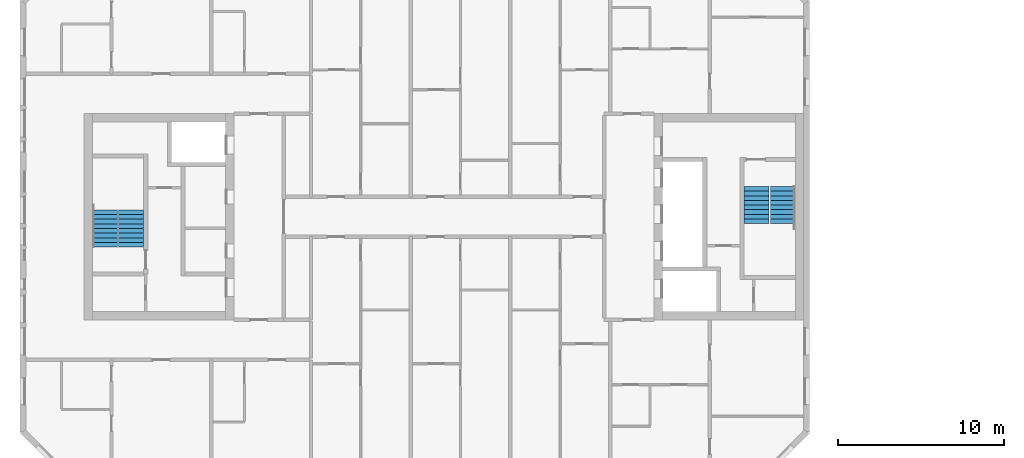
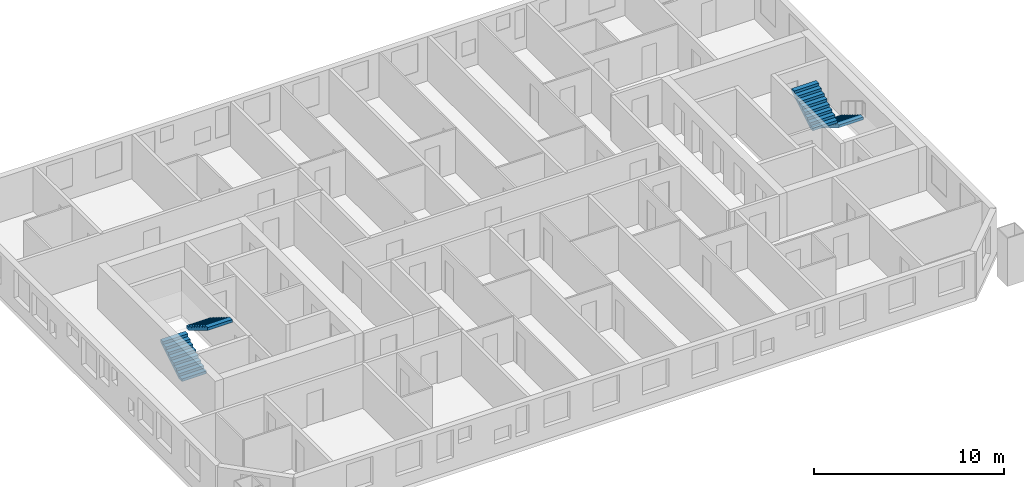
# One storey, part 15 of 16: 4 stair flights, 2 elements without a shape of their own.
"""IFC4 building model written with IfcOpenShell, lengths in metres."""

from ifc_helpers import new_model, si_unit, direction, frame, origin, place, context, subcontext, project, spatial, faceted_brep, material, type_object, element, aggregate, save


model = new_model("IFC4")

# Units and contexts
model_context = context("Model", 3, precision=1e-05, world=origin(), true_north=direction((0.0, 1.0)))
body_context = subcontext(model_context, "Body", "Model", "MODEL_VIEW")
ifc_project = project(units=[si_unit("LENGTHUNIT", "METRE"), si_unit("AREAUNIT", "SQUARE_METRE"), si_unit("VOLUMEUNIT", "CUBIC_METRE"), si_unit("PLANEANGLEUNIT", "RADIAN"), si_unit("MASSUNIT", "GRAM", prefix="KILO")], contexts=[model_context])

# Site, building, storey
site_placement = place(None, origin())
site = spatial("IfcSite", under=ifc_project, at=site_placement, CompositionType="ELEMENT")
building_placement = place(site_placement, origin())
building = spatial("IfcBuilding", under=site, at=building_placement, Name="Tuart Gate Housing", CompositionType="ELEMENT")
storey_placement = place(building_placement, frame((0.0, 0.0, 157.800048828125)))
storey = spatial("IfcBuildingStorey", under=building, at=storey_placement, Name="L44", CompositionType="ELEMENT", Elevation=157.800048828125)

# Stair, stair flights
ifc_material_1 = material(Name="Concrete C40", Category="concrete")
stair_type = type_object("IfcStairType", Name="Core stair 1500", PredefinedType="HALF_TURN_STAIR", material=ifc_material_1)
stair_1_placement = place(storey_placement, origin())
stair_1 = element("IfcStair", 1, at=stair_1_placement, inside=storey, type_object=stair_type, Name="Stair SA1", PredefinedType="HALF_TURN_STAIR")
ifc_material_2 = material(Name="Concrete C40", Category="concrete")
stair_flight_type = type_object("IfcStairFlightType", Name="Stair flight 1500, 9 risers 172 x 280", PredefinedType="STRAIGHT", material=ifc_material_2)
stair_flight_1_placement = place(storey_placement, frame((74.389892578125, 71.824951171875, 0.0), z_axis=(0.0, 0.0, 1.0), x_axis=(0.0, -1.0, 0.0)))
stair_flight_1 = element("IfcStairFlight", 2, at=stair_flight_1_placement, type_object=stair_flight_type, Name="SA1 flight 1", NumberOfRisers=9, NumberOfTreads=8, PredefinedType="STRAIGHT", RiserHeight=0.172222222, TreadLength=0.28, context=body_context, shape_type="Brep", body=[
    faceted_brep([(0.0, 0.75, 0.0), (0.0, 0.75, 0.172119140625), (0.280029296875, 0.75, 0.172119140625), (0.280029296875, 0.75, 0.344482421875), (0.56005859375, 0.75, 0.344482421875), (0.56005859375, 0.75, 0.5166015625), (0.840087890625, 0.75, 0.5166015625), (0.840087890625, 0.75, 0.68896484375), (1.1201171875, 0.75, 0.68896484375), (1.1201171875, 0.75, 0.861083984375), (1.39990234375, 0.75, 0.861083984375), (1.39990234375, 0.75, 1.033447265625), (1.679931640625, 0.75, 1.033447265625), (1.679931640625, 0.75, 1.20556640625), (1.9599609375, 0.75, 1.20556640625), (1.9599609375, 0.75, 1.377685546875), (2.239990234375, 0.75, 1.377685546875), (2.239990234375, 0.75, 1.201904296875), (0.2861328125, 0.75, 0.0), (0.2861328125, -0.75, 0.0), (2.239990234375, -0.75, 1.201904296875), (2.239990234375, -0.75, 1.377685546875), (1.9599609375, -0.75, 1.377685546875), (1.9599609375, -0.75, 1.20556640625), (1.679931640625, -0.75, 1.20556640625), (1.679931640625, -0.75, 1.033447265625), (1.39990234375, -0.75, 1.033447265625), (1.39990234375, -0.75, 0.861083984375), (1.1201171875, -0.75, 0.861083984375), (1.1201171875, -0.75, 0.68896484375), (0.840087890625, -0.75, 0.68896484375), (0.840087890625, -0.75, 0.5166015625), (0.56005859375, -0.75, 0.5166015625), (0.56005859375, -0.75, 0.344482421875), (0.280029296875, -0.75, 0.344482421875), (0.280029296875, -0.75, 0.172119140625), (0.0, -0.75, 0.172119140625), (0.0, -0.75, 0.0), (2.239990234375, 0.0, 1.201904296875), (0.2861328125, 0.0, 0.0), (2.239990234375, 0.0, 1.377685546875), (1.9599609375, 0.0, 1.377685546875), (1.9599609375, 0.0, 1.20556640625), (1.679931640625, 0.0, 1.20556640625), (1.679931640625, 0.0, 1.033447265625), (1.39990234375, 0.0, 1.033447265625), (1.39990234375, 0.0, 0.861083984375), (1.1201171875, 0.0, 0.861083984375), (1.1201171875, 0.0, 0.68896484375), (0.840087890625, 0.0, 0.68896484375), (0.840087890625, 0.0, 0.5166015625), (0.56005859375, 0.0, 0.5166015625), (0.56005859375, 0.0, 0.344482421875), (0.280029296875, 0.0, 0.344482421875), (0.280029296875, 0.0, 0.172119140625), (0.0, 0.0, 0.172119140625), (0.0, 0.0, 0.0)], [[[0, 1, 2, 3, 4, 5, 6, 7, 8, 9, 10, 11, 12, 13, 14, 15, 16, 17, 18]], [[19, 20, 21, 22, 23, 24, 25, 26, 27, 28, 29, 30, 31, 32, 33, 34, 35, 36, 37]], [[18, 17, 38, 39]], [[39, 38, 20, 19]], [[17, 16, 40, 38]], [[38, 40, 21, 20]], [[16, 15, 41, 40]], [[40, 41, 22, 21]], [[15, 14, 42, 41]], [[41, 42, 23, 22]], [[14, 13, 43, 42]], [[42, 43, 24, 23]], [[13, 12, 44, 43]], [[43, 44, 25, 24]], [[12, 11, 45, 44]], [[44, 45, 26, 25]], [[11, 10, 46, 45]], [[45, 46, 27, 26]], [[10, 9, 47, 46]], [[46, 47, 28, 27]], [[9, 8, 48, 47]], [[47, 48, 29, 28]], [[8, 7, 49, 48]], [[48, 49, 30, 29]], [[7, 6, 50, 49]], [[49, 50, 31, 30]], [[6, 5, 51, 50]], [[50, 51, 32, 31]], [[5, 4, 52, 51]], [[51, 52, 33, 32]], [[4, 3, 53, 52]], [[52, 53, 34, 33]], [[3, 2, 54, 53]], [[53, 54, 35, 34]], [[2, 1, 55, 54]], [[54, 55, 36, 35]], [[1, 0, 56, 55]], [[55, 56, 37, 36]], [[0, 18, 39, 56]], [[56, 39, 19, 37]]]),
])
stair_flight_2_placement = place(storey_placement, frame((72.81494140625, 69.5849609375, 1.550048828125), z_axis=(0.0, 0.0, 1.0), x_axis=(0.0, 1.0, 0.0)))
stair_flight_2 = element("IfcStairFlight", 3, at=stair_flight_2_placement, type_object=stair_flight_type, Name="SA1 flight 2", NumberOfRisers=9, NumberOfTreads=8, PredefinedType="STRAIGHT", RiserHeight=0.172222222, TreadLength=0.28, context=body_context, shape_type="Brep", body=[
    faceted_brep([(0.0, 0.75, 0.0), (0.0, 0.75, 0.172119140625), (0.280029296875, 0.75, 0.172119140625), (0.280029296875, 0.75, 0.344482421875), (0.56005859375, 0.75, 0.344482421875), (0.56005859375, 0.75, 0.5166015625), (0.840087890625, 0.75, 0.5166015625), (0.840087890625, 0.75, 0.68896484375), (1.1201171875, 0.75, 0.68896484375), (1.1201171875, 0.75, 0.861083984375), (1.39990234375, 0.75, 0.861083984375), (1.39990234375, 0.75, 1.033447265625), (1.679931640625, 0.75, 1.033447265625), (1.679931640625, 0.75, 1.20556640625), (1.9599609375, 0.75, 1.20556640625), (1.9599609375, 0.75, 1.377685546875), (2.239990234375, 0.75, 1.377685546875), (2.239990234375, 0.75, 1.201904296875), (0.2861328125, 0.75, 0.0), (0.2861328125, -0.75, 0.0), (2.239990234375, -0.75, 1.201904296875), (2.239990234375, -0.75, 1.377685546875), (1.9599609375, -0.75, 1.377685546875), (1.9599609375, -0.75, 1.20556640625), (1.679931640625, -0.75, 1.20556640625), (1.679931640625, -0.75, 1.033447265625), (1.39990234375, -0.75, 1.033447265625), (1.39990234375, -0.75, 0.861083984375), (1.1201171875, -0.75, 0.861083984375), (1.1201171875, -0.75, 0.68896484375), (0.840087890625, -0.75, 0.68896484375), (0.840087890625, -0.75, 0.5166015625), (0.56005859375, -0.75, 0.5166015625), (0.56005859375, -0.75, 0.344482421875), (0.280029296875, -0.75, 0.344482421875), (0.280029296875, -0.75, 0.172119140625), (0.0, -0.75, 0.172119140625), (0.0, -0.75, 0.0), (2.239990234375, 0.0, 1.201904296875), (0.2861328125, 0.0, 0.0), (2.239990234375, 0.0, 1.377685546875), (1.9599609375, 0.0, 1.377685546875), (1.9599609375, 0.0, 1.20556640625), (1.679931640625, 0.0, 1.20556640625), (1.679931640625, 0.0, 1.033447265625), (1.39990234375, 0.0, 1.033447265625), (1.39990234375, 0.0, 0.861083984375), (1.1201171875, 0.0, 0.861083984375), (1.1201171875, 0.0, 0.68896484375), (0.840087890625, 0.0, 0.68896484375), (0.840087890625, 0.0, 0.5166015625), (0.56005859375, 0.0, 0.5166015625), (0.56005859375, 0.0, 0.344482421875), (0.280029296875, 0.0, 0.344482421875), (0.280029296875, 0.0, 0.172119140625), (0.0, 0.0, 0.172119140625), (0.0, 0.0, 0.0)], [[[0, 1, 2, 3, 4, 5, 6, 7, 8, 9, 10, 11, 12, 13, 14, 15, 16, 17, 18]], [[19, 20, 21, 22, 23, 24, 25, 26, 27, 28, 29, 30, 31, 32, 33, 34, 35, 36, 37]], [[18, 17, 38, 39]], [[39, 38, 20, 19]], [[17, 16, 40, 38]], [[38, 40, 21, 20]], [[16, 15, 41, 40]], [[40, 41, 22, 21]], [[15, 14, 42, 41]], [[41, 42, 23, 22]], [[14, 13, 43, 42]], [[42, 43, 24, 23]], [[13, 12, 44, 43]], [[43, 44, 25, 24]], [[12, 11, 45, 44]], [[44, 45, 26, 25]], [[11, 10, 46, 45]], [[45, 46, 27, 26]], [[10, 9, 47, 46]], [[46, 47, 28, 27]], [[9, 8, 48, 47]], [[47, 48, 29, 28]], [[8, 7, 49, 48]], [[48, 49, 30, 29]], [[7, 6, 50, 49]], [[49, 50, 31, 30]], [[6, 5, 51, 50]], [[50, 51, 32, 31]], [[5, 4, 52, 51]], [[51, 52, 33, 32]], [[4, 3, 53, 52]], [[52, 53, 34, 33]], [[3, 2, 54, 53]], [[53, 54, 35, 34]], [[2, 1, 55, 54]], [[54, 55, 36, 35]], [[1, 0, 56, 55]], [[55, 56, 37, 36]], [[0, 18, 39, 56]], [[56, 39, 19, 37]]]),
])
aggregate(stair_1, [stair_flight_1, stair_flight_2])

stair_2_placement = place(storey_placement, origin())
stair_2 = element("IfcStair", 4, at=stair_2_placement, inside=storey, type_object=stair_type, Name="Stair SA2", PredefinedType="HALF_TURN_STAIR")
stair_flight_3_placement = place(storey_placement, frame((33.610107421875, 68.175048828125, 0.0), z_axis=(0.0, 0.0, 1.0), x_axis=(0.0, 1.0, 0.0)))
stair_flight_3 = element("IfcStairFlight", 5, at=stair_flight_3_placement, type_object=stair_flight_type, Name="SA2 flight 1", NumberOfRisers=9, NumberOfTreads=8, PredefinedType="STRAIGHT", RiserHeight=0.172222222, TreadLength=0.28, context=body_context, shape_type="Brep", body=[
    faceted_brep([(0.0, 0.75, 0.0), (0.0, 0.75, 0.172119140625), (0.280029296875, 0.75, 0.172119140625), (0.280029296875, 0.75, 0.344482421875), (0.56005859375, 0.75, 0.344482421875), (0.56005859375, 0.75, 0.5166015625), (0.840087890625, 0.75, 0.5166015625), (0.840087890625, 0.75, 0.68896484375), (1.1201171875, 0.75, 0.68896484375), (1.1201171875, 0.75, 0.861083984375), (1.39990234375, 0.75, 0.861083984375), (1.39990234375, 0.75, 1.033447265625), (1.679931640625, 0.75, 1.033447265625), (1.679931640625, 0.75, 1.20556640625), (1.9599609375, 0.75, 1.20556640625), (1.9599609375, 0.75, 1.377685546875), (2.239990234375, 0.75, 1.377685546875), (2.239990234375, 0.75, 1.201904296875), (0.2861328125, 0.75, 0.0), (0.2861328125, -0.75, 0.0), (2.239990234375, -0.75, 1.201904296875), (2.239990234375, -0.75, 1.377685546875), (1.9599609375, -0.75, 1.377685546875), (1.9599609375, -0.75, 1.20556640625), (1.679931640625, -0.75, 1.20556640625), (1.679931640625, -0.75, 1.033447265625), (1.39990234375, -0.75, 1.033447265625), (1.39990234375, -0.75, 0.861083984375), (1.1201171875, -0.75, 0.861083984375), (1.1201171875, -0.75, 0.68896484375), (0.840087890625, -0.75, 0.68896484375), (0.840087890625, -0.75, 0.5166015625), (0.56005859375, -0.75, 0.5166015625), (0.56005859375, -0.75, 0.344482421875), (0.280029296875, -0.75, 0.344482421875), (0.280029296875, -0.75, 0.172119140625), (0.0, -0.75, 0.172119140625), (0.0, -0.75, 0.0), (2.239990234375, 0.0, 1.201904296875), (0.2861328125, 0.0, 0.0), (2.239990234375, 0.0, 1.377685546875), (1.9599609375, 0.0, 1.377685546875), (1.9599609375, 0.0, 1.20556640625), (1.679931640625, 0.0, 1.20556640625), (1.679931640625, 0.0, 1.033447265625), (1.39990234375, 0.0, 1.033447265625), (1.39990234375, 0.0, 0.861083984375), (1.1201171875, 0.0, 0.861083984375), (1.1201171875, 0.0, 0.68896484375), (0.840087890625, 0.0, 0.68896484375), (0.840087890625, 0.0, 0.5166015625), (0.56005859375, 0.0, 0.5166015625), (0.56005859375, 0.0, 0.344482421875), (0.280029296875, 0.0, 0.344482421875), (0.280029296875, 0.0, 0.172119140625), (0.0, 0.0, 0.172119140625), (0.0, 0.0, 0.0)], [[[0, 1, 2, 3, 4, 5, 6, 7, 8, 9, 10, 11, 12, 13, 14, 15, 16, 17, 18]], [[19, 20, 21, 22, 23, 24, 25, 26, 27, 28, 29, 30, 31, 32, 33, 34, 35, 36, 37]], [[18, 17, 38, 39]], [[39, 38, 20, 19]], [[17, 16, 40, 38]], [[38, 40, 21, 20]], [[16, 15, 41, 40]], [[40, 41, 22, 21]], [[15, 14, 42, 41]], [[41, 42, 23, 22]], [[14, 13, 43, 42]], [[42, 43, 24, 23]], [[13, 12, 44, 43]], [[43, 44, 25, 24]], [[12, 11, 45, 44]], [[44, 45, 26, 25]], [[11, 10, 46, 45]], [[45, 46, 27, 26]], [[10, 9, 47, 46]], [[46, 47, 28, 27]], [[9, 8, 48, 47]], [[47, 48, 29, 28]], [[8, 7, 49, 48]], [[48, 49, 30, 29]], [[7, 6, 50, 49]], [[49, 50, 31, 30]], [[6, 5, 51, 50]], [[50, 51, 32, 31]], [[5, 4, 52, 51]], [[51, 52, 33, 32]], [[4, 3, 53, 52]], [[52, 53, 34, 33]], [[3, 2, 54, 53]], [[53, 54, 35, 34]], [[2, 1, 55, 54]], [[54, 55, 36, 35]], [[1, 0, 56, 55]], [[55, 56, 37, 36]], [[0, 18, 39, 56]], [[56, 39, 19, 37]]]),
])
stair_flight_4_placement = place(storey_placement, frame((35.18505859375, 70.4150390625, 1.550048828125), z_axis=(0.0, 0.0, 1.0), x_axis=(0.0, -1.0, 0.0)))
stair_flight_4 = element("IfcStairFlight", 6, at=stair_flight_4_placement, type_object=stair_flight_type, Name="SA2 flight 2", NumberOfRisers=9, NumberOfTreads=8, PredefinedType="STRAIGHT", RiserHeight=0.172222222, TreadLength=0.28, context=body_context, shape_type="Brep", body=[
    faceted_brep([(0.0, 0.75, 0.0), (0.0, 0.75, 0.172119140625), (0.280029296875, 0.75, 0.172119140625), (0.280029296875, 0.75, 0.344482421875), (0.56005859375, 0.75, 0.344482421875), (0.56005859375, 0.75, 0.5166015625), (0.840087890625, 0.75, 0.5166015625), (0.840087890625, 0.75, 0.68896484375), (1.1201171875, 0.75, 0.68896484375), (1.1201171875, 0.75, 0.861083984375), (1.39990234375, 0.75, 0.861083984375), (1.39990234375, 0.75, 1.033447265625), (1.679931640625, 0.75, 1.033447265625), (1.679931640625, 0.75, 1.20556640625), (1.9599609375, 0.75, 1.20556640625), (1.9599609375, 0.75, 1.377685546875), (2.239990234375, 0.75, 1.377685546875), (2.239990234375, 0.75, 1.201904296875), (0.2861328125, 0.75, 0.0), (0.2861328125, -0.75, 0.0), (2.239990234375, -0.75, 1.201904296875), (2.239990234375, -0.75, 1.377685546875), (1.9599609375, -0.75, 1.377685546875), (1.9599609375, -0.75, 1.20556640625), (1.679931640625, -0.75, 1.20556640625), (1.679931640625, -0.75, 1.033447265625), (1.39990234375, -0.75, 1.033447265625), (1.39990234375, -0.75, 0.861083984375), (1.1201171875, -0.75, 0.861083984375), (1.1201171875, -0.75, 0.68896484375), (0.840087890625, -0.75, 0.68896484375), (0.840087890625, -0.75, 0.5166015625), (0.56005859375, -0.75, 0.5166015625), (0.56005859375, -0.75, 0.344482421875), (0.280029296875, -0.75, 0.344482421875), (0.280029296875, -0.75, 0.172119140625), (0.0, -0.75, 0.172119140625), (0.0, -0.75, 0.0), (2.239990234375, 0.0, 1.201904296875), (0.2861328125, 0.0, 0.0), (2.239990234375, 0.0, 1.377685546875), (1.9599609375, 0.0, 1.377685546875), (1.9599609375, 0.0, 1.20556640625), (1.679931640625, 0.0, 1.20556640625), (1.679931640625, 0.0, 1.033447265625), (1.39990234375, 0.0, 1.033447265625), (1.39990234375, 0.0, 0.861083984375), (1.1201171875, 0.0, 0.861083984375), (1.1201171875, 0.0, 0.68896484375), (0.840087890625, 0.0, 0.68896484375), (0.840087890625, 0.0, 0.5166015625), (0.56005859375, 0.0, 0.5166015625), (0.56005859375, 0.0, 0.344482421875), (0.280029296875, 0.0, 0.344482421875), (0.280029296875, 0.0, 0.172119140625), (0.0, 0.0, 0.172119140625), (0.0, 0.0, 0.0)], [[[0, 1, 2, 3, 4, 5, 6, 7, 8, 9, 10, 11, 12, 13, 14, 15, 16, 17, 18]], [[19, 20, 21, 22, 23, 24, 25, 26, 27, 28, 29, 30, 31, 32, 33, 34, 35, 36, 37]], [[18, 17, 38, 39]], [[39, 38, 20, 19]], [[17, 16, 40, 38]], [[38, 40, 21, 20]], [[16, 15, 41, 40]], [[40, 41, 22, 21]], [[15, 14, 42, 41]], [[41, 42, 23, 22]], [[14, 13, 43, 42]], [[42, 43, 24, 23]], [[13, 12, 44, 43]], [[43, 44, 25, 24]], [[12, 11, 45, 44]], [[44, 45, 26, 25]], [[11, 10, 46, 45]], [[45, 46, 27, 26]], [[10, 9, 47, 46]], [[46, 47, 28, 27]], [[9, 8, 48, 47]], [[47, 48, 29, 28]], [[8, 7, 49, 48]], [[48, 49, 30, 29]], [[7, 6, 50, 49]], [[49, 50, 31, 30]], [[6, 5, 51, 50]], [[50, 51, 32, 31]], [[5, 4, 52, 51]], [[51, 52, 33, 32]], [[4, 3, 53, 52]], [[52, 53, 34, 33]], [[3, 2, 54, 53]], [[53, 54, 35, 34]], [[2, 1, 55, 54]], [[54, 55, 36, 35]], [[1, 0, 56, 55]], [[55, 56, 37, 36]], [[0, 18, 39, 56]], [[56, 39, 19, 37]]]),
])
aggregate(stair_2, [stair_flight_3, stair_flight_4])

save(model, "model.ifc")
